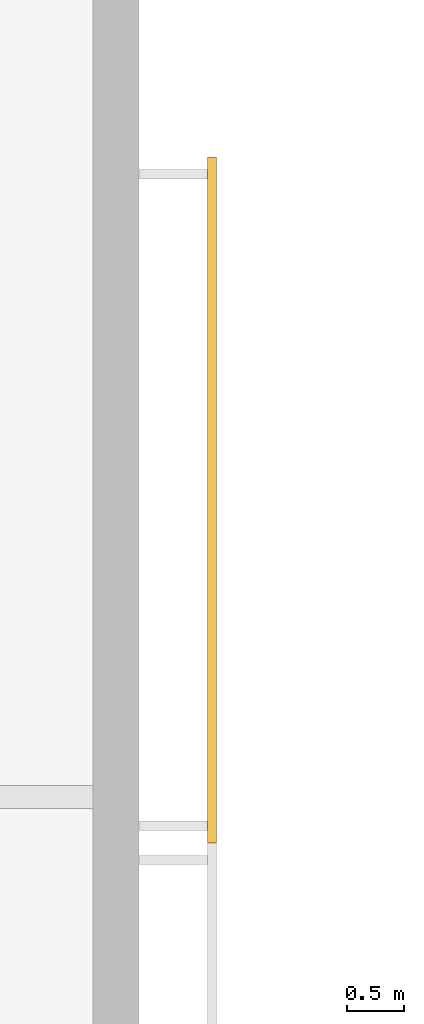
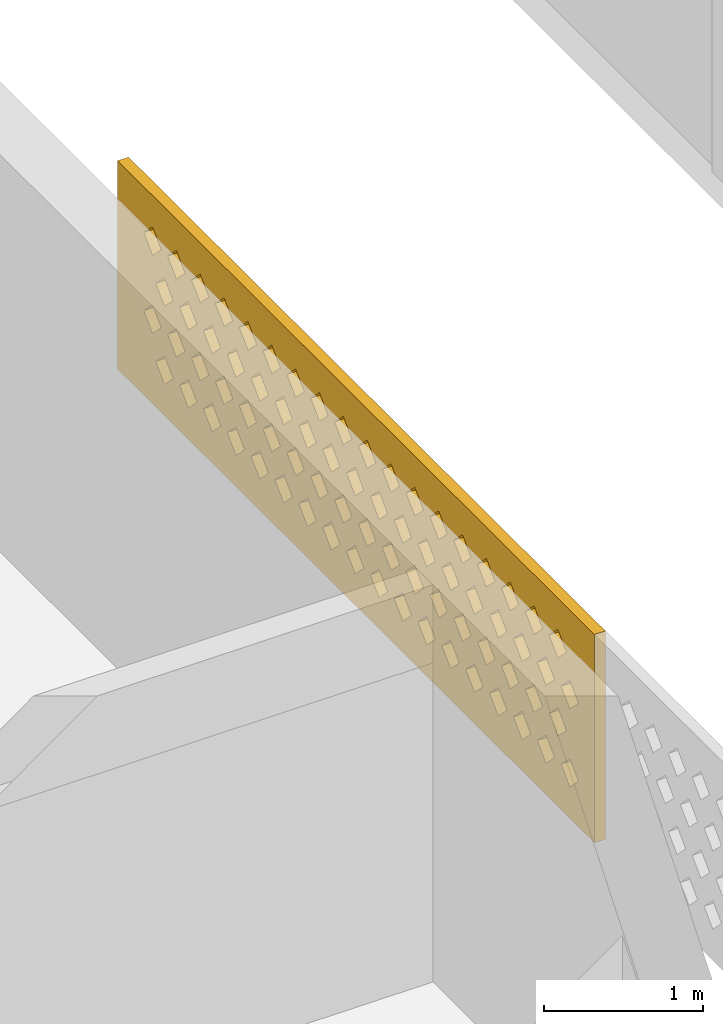
# One storey, part 12 of 16: 1 covering.
"""IFC4 building model written with IfcOpenShell, lengths in metres."""

from ifc_helpers import new_model, si_unit, direction, frame, origin, place, context, subcontext, project, spatial, polyline, outline, extrude, source, transform, mapped, material, material_profile, profile_set, type_object, element, save


model = new_model("IFC4")

# Units and contexts
model_context = context("Model", 3, precision=1e-05, world=origin(), true_north=direction((0.0, 1.0)))
body_context = subcontext(model_context, "Body", "Model", "MODEL_VIEW")
ifc_project = project(units=[si_unit("LENGTHUNIT", "METRE"), si_unit("AREAUNIT", "SQUARE_METRE"), si_unit("VOLUMEUNIT", "CUBIC_METRE"), si_unit("PLANEANGLEUNIT", "RADIAN"), si_unit("MASSUNIT", "GRAM", prefix="KILO")], contexts=[model_context])

# Site, building, storey
site_placement = place(None, origin())
site = spatial("IfcSite", under=ifc_project, at=site_placement, CompositionType="ELEMENT")
building_placement = place(site_placement, origin())
building = spatial("IfcBuilding", under=site, at=building_placement, Name="Poui Terraces", CompositionType="ELEMENT")
storey_placement = place(building_placement, frame((0.0, 0.0, 282.300048828125)))
storey = spatial("IfcBuildingStorey", under=building, at=storey_placement, Name="L78 CROWN", CompositionType="ELEMENT", Elevation=282.300048828125)

# Covering
ifc_material = material(Name="Terracotta screen", Category="masonry")
ifc_material_profile = material_profile(ifc_material, outline(polyline([(-3.0, -0.800048828125), (3.0, -0.800048828125), (3.0, 0.800048828125), (-3.0, 0.800048828125), (-3.0, -0.800048828125)]), holes=[polyline([(-2.800048828125, -0.449951171875), (-2.68994140625, -0.56005859375), (-2.580078125, -0.449951171875), (-2.68994140625, -0.340087890625), (-2.800048828125, -0.449951171875)]), polyline([(-2.5, -0.449951171875), (-2.389892578125, -0.56005859375), (-2.280029296875, -0.449951171875), (-2.389892578125, -0.340087890625), (-2.5, -0.449951171875)]), polyline([(-2.199951171875, -0.449951171875), (-2.090087890625, -0.56005859375), (-1.97998046875, -0.449951171875), (-2.090087890625, -0.340087890625), (-2.199951171875, -0.449951171875)]), polyline([(-1.89990234375, -0.449951171875), (-1.7900390625, -0.56005859375), (-1.679931640625, -0.449951171875), (-1.7900390625, -0.340087890625), (-1.89990234375, -0.449951171875)]), polyline([(-1.60009765625, -0.449951171875), (-1.489990234375, -0.56005859375), (-1.3798828125, -0.449951171875), (-1.489990234375, -0.340087890625), (-1.60009765625, -0.449951171875)]), polyline([(-1.300048828125, -0.449951171875), (-1.18994140625, -0.56005859375), (-1.080078125, -0.449951171875), (-1.18994140625, -0.340087890625), (-1.300048828125, -0.449951171875)]), polyline([(-1.0, -0.449951171875), (-0.889892578125, -0.56005859375), (-0.780029296875, -0.449951171875), (-0.889892578125, -0.340087890625), (-1.0, -0.449951171875)]), polyline([(-0.699951171875, -0.449951171875), (-0.590087890625, -0.56005859375), (-0.47998046875, -0.449951171875), (-0.590087890625, -0.340087890625), (-0.699951171875, -0.449951171875)]), polyline([(-0.39990234375, -0.449951171875), (-0.2900390625, -0.56005859375), (-0.179931640625, -0.449951171875), (-0.2900390625, -0.340087890625), (-0.39990234375, -0.449951171875)]), polyline([(-0.10009765625, -0.449951171875), (0.010009765625, -0.56005859375), (0.1201171875, -0.449951171875), (0.010009765625, -0.340087890625), (-0.10009765625, -0.449951171875)]), polyline([(0.199951171875, -0.449951171875), (0.31005859375, -0.56005859375), (0.419921875, -0.449951171875), (0.31005859375, -0.340087890625), (0.199951171875, -0.449951171875)]), polyline([(0.5, -0.449951171875), (0.610107421875, -0.56005859375), (0.719970703125, -0.449951171875), (0.610107421875, -0.340087890625), (0.5, -0.449951171875)]), polyline([(0.800048828125, -0.449951171875), (0.909912109375, -0.56005859375), (1.02001953125, -0.449951171875), (0.909912109375, -0.340087890625), (0.800048828125, -0.449951171875)]), polyline([(1.10009765625, -0.449951171875), (1.2099609375, -0.56005859375), (1.320068359375, -0.449951171875), (1.2099609375, -0.340087890625), (1.10009765625, -0.449951171875)]), polyline([(1.39990234375, -0.449951171875), (1.510009765625, -0.56005859375), (1.6201171875, -0.449951171875), (1.510009765625, -0.340087890625), (1.39990234375, -0.449951171875)]), polyline([(1.699951171875, -0.449951171875), (1.81005859375, -0.56005859375), (1.919921875, -0.449951171875), (1.81005859375, -0.340087890625), (1.699951171875, -0.449951171875)]), polyline([(2.0, -0.449951171875), (2.110107421875, -0.56005859375), (2.219970703125, -0.449951171875), (2.110107421875, -0.340087890625), (2.0, -0.449951171875)]), polyline([(2.300048828125, -0.449951171875), (2.409912109375, -0.56005859375), (2.52001953125, -0.449951171875), (2.409912109375, -0.340087890625), (2.300048828125, -0.449951171875)]), polyline([(-2.64990234375, -0.14990234375), (-2.5400390625, -0.260009765625), (-2.429931640625, -0.14990234375), (-2.5400390625, -0.0400390625), (-2.64990234375, -0.14990234375)]), polyline([(-2.35009765625, -0.14990234375), (-2.239990234375, -0.260009765625), (-2.1298828125, -0.14990234375), (-2.239990234375, -0.0400390625), (-2.35009765625, -0.14990234375)]), polyline([(-2.050048828125, -0.14990234375), (-1.93994140625, -0.260009765625), (-1.830078125, -0.14990234375), (-1.93994140625, -0.0400390625), (-2.050048828125, -0.14990234375)]), polyline([(-1.75, -0.14990234375), (-1.639892578125, -0.260009765625), (-1.530029296875, -0.14990234375), (-1.639892578125, -0.0400390625), (-1.75, -0.14990234375)]), polyline([(-1.449951171875, -0.14990234375), (-1.340087890625, -0.260009765625), (-1.22998046875, -0.14990234375), (-1.340087890625, -0.0400390625), (-1.449951171875, -0.14990234375)]), polyline([(-1.14990234375, -0.14990234375), (-1.0400390625, -0.260009765625), (-0.929931640625, -0.14990234375), (-1.0400390625, -0.0400390625), (-1.14990234375, -0.14990234375)]), polyline([(-0.85009765625, -0.14990234375), (-0.739990234375, -0.260009765625), (-0.6298828125, -0.14990234375), (-0.739990234375, -0.0400390625), (-0.85009765625, -0.14990234375)]), polyline([(-0.550048828125, -0.14990234375), (-0.43994140625, -0.260009765625), (-0.330078125, -0.14990234375), (-0.43994140625, -0.0400390625), (-0.550048828125, -0.14990234375)]), polyline([(-0.25, -0.14990234375), (-0.139892578125, -0.260009765625), (-0.030029296875, -0.14990234375), (-0.139892578125, -0.0400390625), (-0.25, -0.14990234375)]), polyline([(0.050048828125, -0.14990234375), (0.159912109375, -0.260009765625), (0.27001953125, -0.14990234375), (0.159912109375, -0.0400390625), (0.050048828125, -0.14990234375)]), polyline([(0.35009765625, -0.14990234375), (0.4599609375, -0.260009765625), (0.570068359375, -0.14990234375), (0.4599609375, -0.0400390625), (0.35009765625, -0.14990234375)]), polyline([(0.64990234375, -0.14990234375), (0.760009765625, -0.260009765625), (0.8701171875, -0.14990234375), (0.760009765625, -0.0400390625), (0.64990234375, -0.14990234375)]), polyline([(0.949951171875, -0.14990234375), (1.06005859375, -0.260009765625), (1.169921875, -0.14990234375), (1.06005859375, -0.0400390625), (0.949951171875, -0.14990234375)]), polyline([(1.25, -0.14990234375), (1.360107421875, -0.260009765625), (1.469970703125, -0.14990234375), (1.360107421875, -0.0400390625), (1.25, -0.14990234375)]), polyline([(1.550048828125, -0.14990234375), (1.659912109375, -0.260009765625), (1.77001953125, -0.14990234375), (1.659912109375, -0.0400390625), (1.550048828125, -0.14990234375)]), polyline([(1.85009765625, -0.14990234375), (1.9599609375, -0.260009765625), (2.070068359375, -0.14990234375), (1.9599609375, -0.0400390625), (1.85009765625, -0.14990234375)]), polyline([(2.14990234375, -0.14990234375), (2.260009765625, -0.260009765625), (2.3701171875, -0.14990234375), (2.260009765625, -0.0400390625), (2.14990234375, -0.14990234375)]), polyline([(2.449951171875, -0.14990234375), (2.56005859375, -0.260009765625), (2.669921875, -0.14990234375), (2.56005859375, -0.0400390625), (2.449951171875, -0.14990234375)]), polyline([(-2.800048828125, 0.14990234375), (-2.68994140625, 0.0400390625), (-2.580078125, 0.14990234375), (-2.68994140625, 0.260009765625), (-2.800048828125, 0.14990234375)]), polyline([(-2.5, 0.14990234375), (-2.389892578125, 0.0400390625), (-2.280029296875, 0.14990234375), (-2.389892578125, 0.260009765625), (-2.5, 0.14990234375)]), polyline([(-2.199951171875, 0.14990234375), (-2.090087890625, 0.0400390625), (-1.97998046875, 0.14990234375), (-2.090087890625, 0.260009765625), (-2.199951171875, 0.14990234375)]), polyline([(-1.89990234375, 0.14990234375), (-1.7900390625, 0.0400390625), (-1.679931640625, 0.14990234375), (-1.7900390625, 0.260009765625), (-1.89990234375, 0.14990234375)]), polyline([(-1.60009765625, 0.14990234375), (-1.489990234375, 0.0400390625), (-1.3798828125, 0.14990234375), (-1.489990234375, 0.260009765625), (-1.60009765625, 0.14990234375)]), polyline([(-1.300048828125, 0.14990234375), (-1.18994140625, 0.0400390625), (-1.080078125, 0.14990234375), (-1.18994140625, 0.260009765625), (-1.300048828125, 0.14990234375)]), polyline([(-1.0, 0.14990234375), (-0.889892578125, 0.0400390625), (-0.780029296875, 0.14990234375), (-0.889892578125, 0.260009765625), (-1.0, 0.14990234375)]), polyline([(-0.699951171875, 0.14990234375), (-0.590087890625, 0.0400390625), (-0.47998046875, 0.14990234375), (-0.590087890625, 0.260009765625), (-0.699951171875, 0.14990234375)]), polyline([(-0.39990234375, 0.14990234375), (-0.2900390625, 0.0400390625), (-0.179931640625, 0.14990234375), (-0.2900390625, 0.260009765625), (-0.39990234375, 0.14990234375)]), polyline([(-0.10009765625, 0.14990234375), (0.010009765625, 0.0400390625), (0.1201171875, 0.14990234375), (0.010009765625, 0.260009765625), (-0.10009765625, 0.14990234375)]), polyline([(0.199951171875, 0.14990234375), (0.31005859375, 0.0400390625), (0.419921875, 0.14990234375), (0.31005859375, 0.260009765625), (0.199951171875, 0.14990234375)]), polyline([(0.5, 0.14990234375), (0.610107421875, 0.0400390625), (0.719970703125, 0.14990234375), (0.610107421875, 0.260009765625), (0.5, 0.14990234375)]), polyline([(0.800048828125, 0.14990234375), (0.909912109375, 0.0400390625), (1.02001953125, 0.14990234375), (0.909912109375, 0.260009765625), (0.800048828125, 0.14990234375)]), polyline([(1.10009765625, 0.14990234375), (1.2099609375, 0.0400390625), (1.320068359375, 0.14990234375), (1.2099609375, 0.260009765625), (1.10009765625, 0.14990234375)]), polyline([(1.39990234375, 0.14990234375), (1.510009765625, 0.0400390625), (1.6201171875, 0.14990234375), (1.510009765625, 0.260009765625), (1.39990234375, 0.14990234375)]), polyline([(1.699951171875, 0.14990234375), (1.81005859375, 0.0400390625), (1.919921875, 0.14990234375), (1.81005859375, 0.260009765625), (1.699951171875, 0.14990234375)]), polyline([(2.0, 0.14990234375), (2.110107421875, 0.0400390625), (2.219970703125, 0.14990234375), (2.110107421875, 0.260009765625), (2.0, 0.14990234375)]), polyline([(2.300048828125, 0.14990234375), (2.409912109375, 0.0400390625), (2.52001953125, 0.14990234375), (2.409912109375, 0.260009765625), (2.300048828125, 0.14990234375)]), polyline([(-2.64990234375, 0.449951171875), (-2.5400390625, 0.340087890625), (-2.429931640625, 0.449951171875), (-2.5400390625, 0.56005859375), (-2.64990234375, 0.449951171875)]), polyline([(-2.35009765625, 0.449951171875), (-2.239990234375, 0.340087890625), (-2.1298828125, 0.449951171875), (-2.239990234375, 0.56005859375), (-2.35009765625, 0.449951171875)]), polyline([(-2.050048828125, 0.449951171875), (-1.93994140625, 0.340087890625), (-1.830078125, 0.449951171875), (-1.93994140625, 0.56005859375), (-2.050048828125, 0.449951171875)]), polyline([(-1.75, 0.449951171875), (-1.639892578125, 0.340087890625), (-1.530029296875, 0.449951171875), (-1.639892578125, 0.56005859375), (-1.75, 0.449951171875)]), polyline([(-1.449951171875, 0.449951171875), (-1.340087890625, 0.340087890625), (-1.22998046875, 0.449951171875), (-1.340087890625, 0.56005859375), (-1.449951171875, 0.449951171875)]), polyline([(-1.14990234375, 0.449951171875), (-1.0400390625, 0.340087890625), (-0.929931640625, 0.449951171875), (-1.0400390625, 0.56005859375), (-1.14990234375, 0.449951171875)]), polyline([(-0.85009765625, 0.449951171875), (-0.739990234375, 0.340087890625), (-0.6298828125, 0.449951171875), (-0.739990234375, 0.56005859375), (-0.85009765625, 0.449951171875)]), polyline([(-0.550048828125, 0.449951171875), (-0.43994140625, 0.340087890625), (-0.330078125, 0.449951171875), (-0.43994140625, 0.56005859375), (-0.550048828125, 0.449951171875)]), polyline([(-0.25, 0.449951171875), (-0.139892578125, 0.340087890625), (-0.030029296875, 0.449951171875), (-0.139892578125, 0.56005859375), (-0.25, 0.449951171875)]), polyline([(0.050048828125, 0.449951171875), (0.159912109375, 0.340087890625), (0.27001953125, 0.449951171875), (0.159912109375, 0.56005859375), (0.050048828125, 0.449951171875)]), polyline([(0.35009765625, 0.449951171875), (0.4599609375, 0.340087890625), (0.570068359375, 0.449951171875), (0.4599609375, 0.56005859375), (0.35009765625, 0.449951171875)]), polyline([(0.64990234375, 0.449951171875), (0.760009765625, 0.340087890625), (0.8701171875, 0.449951171875), (0.760009765625, 0.56005859375), (0.64990234375, 0.449951171875)]), polyline([(0.949951171875, 0.449951171875), (1.06005859375, 0.340087890625), (1.169921875, 0.449951171875), (1.06005859375, 0.56005859375), (0.949951171875, 0.449951171875)]), polyline([(1.25, 0.449951171875), (1.360107421875, 0.340087890625), (1.469970703125, 0.449951171875), (1.360107421875, 0.56005859375), (1.25, 0.449951171875)]), polyline([(1.550048828125, 0.449951171875), (1.659912109375, 0.340087890625), (1.77001953125, 0.449951171875), (1.659912109375, 0.56005859375), (1.550048828125, 0.449951171875)]), polyline([(1.85009765625, 0.449951171875), (1.9599609375, 0.340087890625), (2.070068359375, 0.449951171875), (1.9599609375, 0.56005859375), (1.85009765625, 0.449951171875)]), polyline([(2.14990234375, 0.449951171875), (2.260009765625, 0.340087890625), (2.3701171875, 0.449951171875), (2.260009765625, 0.56005859375), (2.14990234375, 0.449951171875)]), polyline([(2.449951171875, 0.449951171875), (2.56005859375, 0.340087890625), (2.669921875, 0.449951171875), (2.56005859375, 0.56005859375), (2.449951171875, 0.449951171875)])]), Name="TERRACOTTA SOLAR SCREEN 6000X1600")
ifc_profile_set = profile_set([ifc_material_profile], Name="Terracotta screen")
covering_type = type_object("IfcCoveringType", Name="TERRACOTTA SOLAR SCREEN 6000X1600", PredefinedType="CLADDING", material=ifc_profile_set)
shared_shape = source(origin(), body_context, "Body", "SweptSolid", [
    extrude(outline(polyline([(-3.0, -0.800048828125), (3.0, -0.800048828125), (3.0, 0.800048828125), (-3.0, 0.800048828125), (-3.0, -0.800048828125)]), holes=[polyline([(-2.800048828125, -0.449951171875), (-2.68994140625, -0.56005859375), (-2.580078125, -0.449951171875), (-2.68994140625, -0.340087890625), (-2.800048828125, -0.449951171875)]), polyline([(-2.5, -0.449951171875), (-2.389892578125, -0.56005859375), (-2.280029296875, -0.449951171875), (-2.389892578125, -0.340087890625), (-2.5, -0.449951171875)]), polyline([(-2.199951171875, -0.449951171875), (-2.090087890625, -0.56005859375), (-1.97998046875, -0.449951171875), (-2.090087890625, -0.340087890625), (-2.199951171875, -0.449951171875)]), polyline([(-1.89990234375, -0.449951171875), (-1.7900390625, -0.56005859375), (-1.679931640625, -0.449951171875), (-1.7900390625, -0.340087890625), (-1.89990234375, -0.449951171875)]), polyline([(-1.60009765625, -0.449951171875), (-1.489990234375, -0.56005859375), (-1.3798828125, -0.449951171875), (-1.489990234375, -0.340087890625), (-1.60009765625, -0.449951171875)]), polyline([(-1.300048828125, -0.449951171875), (-1.18994140625, -0.56005859375), (-1.080078125, -0.449951171875), (-1.18994140625, -0.340087890625), (-1.300048828125, -0.449951171875)]), polyline([(-1.0, -0.449951171875), (-0.889892578125, -0.56005859375), (-0.780029296875, -0.449951171875), (-0.889892578125, -0.340087890625), (-1.0, -0.449951171875)]), polyline([(-0.699951171875, -0.449951171875), (-0.590087890625, -0.56005859375), (-0.47998046875, -0.449951171875), (-0.590087890625, -0.340087890625), (-0.699951171875, -0.449951171875)]), polyline([(-0.39990234375, -0.449951171875), (-0.2900390625, -0.56005859375), (-0.179931640625, -0.449951171875), (-0.2900390625, -0.340087890625), (-0.39990234375, -0.449951171875)]), polyline([(-0.10009765625, -0.449951171875), (0.010009765625, -0.56005859375), (0.1201171875, -0.449951171875), (0.010009765625, -0.340087890625), (-0.10009765625, -0.449951171875)]), polyline([(0.199951171875, -0.449951171875), (0.31005859375, -0.56005859375), (0.419921875, -0.449951171875), (0.31005859375, -0.340087890625), (0.199951171875, -0.449951171875)]), polyline([(0.5, -0.449951171875), (0.610107421875, -0.56005859375), (0.719970703125, -0.449951171875), (0.610107421875, -0.340087890625), (0.5, -0.449951171875)]), polyline([(0.800048828125, -0.449951171875), (0.909912109375, -0.56005859375), (1.02001953125, -0.449951171875), (0.909912109375, -0.340087890625), (0.800048828125, -0.449951171875)]), polyline([(1.10009765625, -0.449951171875), (1.2099609375, -0.56005859375), (1.320068359375, -0.449951171875), (1.2099609375, -0.340087890625), (1.10009765625, -0.449951171875)]), polyline([(1.39990234375, -0.449951171875), (1.510009765625, -0.56005859375), (1.6201171875, -0.449951171875), (1.510009765625, -0.340087890625), (1.39990234375, -0.449951171875)]), polyline([(1.699951171875, -0.449951171875), (1.81005859375, -0.56005859375), (1.919921875, -0.449951171875), (1.81005859375, -0.340087890625), (1.699951171875, -0.449951171875)]), polyline([(2.0, -0.449951171875), (2.110107421875, -0.56005859375), (2.219970703125, -0.449951171875), (2.110107421875, -0.340087890625), (2.0, -0.449951171875)]), polyline([(2.300048828125, -0.449951171875), (2.409912109375, -0.56005859375), (2.52001953125, -0.449951171875), (2.409912109375, -0.340087890625), (2.300048828125, -0.449951171875)]), polyline([(-2.64990234375, -0.14990234375), (-2.5400390625, -0.260009765625), (-2.429931640625, -0.14990234375), (-2.5400390625, -0.0400390625), (-2.64990234375, -0.14990234375)]), polyline([(-2.35009765625, -0.14990234375), (-2.239990234375, -0.260009765625), (-2.1298828125, -0.14990234375), (-2.239990234375, -0.0400390625), (-2.35009765625, -0.14990234375)]), polyline([(-2.050048828125, -0.14990234375), (-1.93994140625, -0.260009765625), (-1.830078125, -0.14990234375), (-1.93994140625, -0.0400390625), (-2.050048828125, -0.14990234375)]), polyline([(-1.75, -0.14990234375), (-1.639892578125, -0.260009765625), (-1.530029296875, -0.14990234375), (-1.639892578125, -0.0400390625), (-1.75, -0.14990234375)]), polyline([(-1.449951171875, -0.14990234375), (-1.340087890625, -0.260009765625), (-1.22998046875, -0.14990234375), (-1.340087890625, -0.0400390625), (-1.449951171875, -0.14990234375)]), polyline([(-1.14990234375, -0.14990234375), (-1.0400390625, -0.260009765625), (-0.929931640625, -0.14990234375), (-1.0400390625, -0.0400390625), (-1.14990234375, -0.14990234375)]), polyline([(-0.85009765625, -0.14990234375), (-0.739990234375, -0.260009765625), (-0.6298828125, -0.14990234375), (-0.739990234375, -0.0400390625), (-0.85009765625, -0.14990234375)]), polyline([(-0.550048828125, -0.14990234375), (-0.43994140625, -0.260009765625), (-0.330078125, -0.14990234375), (-0.43994140625, -0.0400390625), (-0.550048828125, -0.14990234375)]), polyline([(-0.25, -0.14990234375), (-0.139892578125, -0.260009765625), (-0.030029296875, -0.14990234375), (-0.139892578125, -0.0400390625), (-0.25, -0.14990234375)]), polyline([(0.050048828125, -0.14990234375), (0.159912109375, -0.260009765625), (0.27001953125, -0.14990234375), (0.159912109375, -0.0400390625), (0.050048828125, -0.14990234375)]), polyline([(0.35009765625, -0.14990234375), (0.4599609375, -0.260009765625), (0.570068359375, -0.14990234375), (0.4599609375, -0.0400390625), (0.35009765625, -0.14990234375)]), polyline([(0.64990234375, -0.14990234375), (0.760009765625, -0.260009765625), (0.8701171875, -0.14990234375), (0.760009765625, -0.0400390625), (0.64990234375, -0.14990234375)]), polyline([(0.949951171875, -0.14990234375), (1.06005859375, -0.260009765625), (1.169921875, -0.14990234375), (1.06005859375, -0.0400390625), (0.949951171875, -0.14990234375)]), polyline([(1.25, -0.14990234375), (1.360107421875, -0.260009765625), (1.469970703125, -0.14990234375), (1.360107421875, -0.0400390625), (1.25, -0.14990234375)]), polyline([(1.550048828125, -0.14990234375), (1.659912109375, -0.260009765625), (1.77001953125, -0.14990234375), (1.659912109375, -0.0400390625), (1.550048828125, -0.14990234375)]), polyline([(1.85009765625, -0.14990234375), (1.9599609375, -0.260009765625), (2.070068359375, -0.14990234375), (1.9599609375, -0.0400390625), (1.85009765625, -0.14990234375)]), polyline([(2.14990234375, -0.14990234375), (2.260009765625, -0.260009765625), (2.3701171875, -0.14990234375), (2.260009765625, -0.0400390625), (2.14990234375, -0.14990234375)]), polyline([(2.449951171875, -0.14990234375), (2.56005859375, -0.260009765625), (2.669921875, -0.14990234375), (2.56005859375, -0.0400390625), (2.449951171875, -0.14990234375)]), polyline([(-2.800048828125, 0.14990234375), (-2.68994140625, 0.0400390625), (-2.580078125, 0.14990234375), (-2.68994140625, 0.260009765625), (-2.800048828125, 0.14990234375)]), polyline([(-2.5, 0.14990234375), (-2.389892578125, 0.0400390625), (-2.280029296875, 0.14990234375), (-2.389892578125, 0.260009765625), (-2.5, 0.14990234375)]), polyline([(-2.199951171875, 0.14990234375), (-2.090087890625, 0.0400390625), (-1.97998046875, 0.14990234375), (-2.090087890625, 0.260009765625), (-2.199951171875, 0.14990234375)]), polyline([(-1.89990234375, 0.14990234375), (-1.7900390625, 0.0400390625), (-1.679931640625, 0.14990234375), (-1.7900390625, 0.260009765625), (-1.89990234375, 0.14990234375)]), polyline([(-1.60009765625, 0.14990234375), (-1.489990234375, 0.0400390625), (-1.3798828125, 0.14990234375), (-1.489990234375, 0.260009765625), (-1.60009765625, 0.14990234375)]), polyline([(-1.300048828125, 0.14990234375), (-1.18994140625, 0.0400390625), (-1.080078125, 0.14990234375), (-1.18994140625, 0.260009765625), (-1.300048828125, 0.14990234375)]), polyline([(-1.0, 0.14990234375), (-0.889892578125, 0.0400390625), (-0.780029296875, 0.14990234375), (-0.889892578125, 0.260009765625), (-1.0, 0.14990234375)]), polyline([(-0.699951171875, 0.14990234375), (-0.590087890625, 0.0400390625), (-0.47998046875, 0.14990234375), (-0.590087890625, 0.260009765625), (-0.699951171875, 0.14990234375)]), polyline([(-0.39990234375, 0.14990234375), (-0.2900390625, 0.0400390625), (-0.179931640625, 0.14990234375), (-0.2900390625, 0.260009765625), (-0.39990234375, 0.14990234375)]), polyline([(-0.10009765625, 0.14990234375), (0.010009765625, 0.0400390625), (0.1201171875, 0.14990234375), (0.010009765625, 0.260009765625), (-0.10009765625, 0.14990234375)]), polyline([(0.199951171875, 0.14990234375), (0.31005859375, 0.0400390625), (0.419921875, 0.14990234375), (0.31005859375, 0.260009765625), (0.199951171875, 0.14990234375)]), polyline([(0.5, 0.14990234375), (0.610107421875, 0.0400390625), (0.719970703125, 0.14990234375), (0.610107421875, 0.260009765625), (0.5, 0.14990234375)]), polyline([(0.800048828125, 0.14990234375), (0.909912109375, 0.0400390625), (1.02001953125, 0.14990234375), (0.909912109375, 0.260009765625), (0.800048828125, 0.14990234375)]), polyline([(1.10009765625, 0.14990234375), (1.2099609375, 0.0400390625), (1.320068359375, 0.14990234375), (1.2099609375, 0.260009765625), (1.10009765625, 0.14990234375)]), polyline([(1.39990234375, 0.14990234375), (1.510009765625, 0.0400390625), (1.6201171875, 0.14990234375), (1.510009765625, 0.260009765625), (1.39990234375, 0.14990234375)]), polyline([(1.699951171875, 0.14990234375), (1.81005859375, 0.0400390625), (1.919921875, 0.14990234375), (1.81005859375, 0.260009765625), (1.699951171875, 0.14990234375)]), polyline([(2.0, 0.14990234375), (2.110107421875, 0.0400390625), (2.219970703125, 0.14990234375), (2.110107421875, 0.260009765625), (2.0, 0.14990234375)]), polyline([(2.300048828125, 0.14990234375), (2.409912109375, 0.0400390625), (2.52001953125, 0.14990234375), (2.409912109375, 0.260009765625), (2.300048828125, 0.14990234375)]), polyline([(-2.64990234375, 0.449951171875), (-2.5400390625, 0.340087890625), (-2.429931640625, 0.449951171875), (-2.5400390625, 0.56005859375), (-2.64990234375, 0.449951171875)]), polyline([(-2.35009765625, 0.449951171875), (-2.239990234375, 0.340087890625), (-2.1298828125, 0.449951171875), (-2.239990234375, 0.56005859375), (-2.35009765625, 0.449951171875)]), polyline([(-2.050048828125, 0.449951171875), (-1.93994140625, 0.340087890625), (-1.830078125, 0.449951171875), (-1.93994140625, 0.56005859375), (-2.050048828125, 0.449951171875)]), polyline([(-1.75, 0.449951171875), (-1.639892578125, 0.340087890625), (-1.530029296875, 0.449951171875), (-1.639892578125, 0.56005859375), (-1.75, 0.449951171875)]), polyline([(-1.449951171875, 0.449951171875), (-1.340087890625, 0.340087890625), (-1.22998046875, 0.449951171875), (-1.340087890625, 0.56005859375), (-1.449951171875, 0.449951171875)]), polyline([(-1.14990234375, 0.449951171875), (-1.0400390625, 0.340087890625), (-0.929931640625, 0.449951171875), (-1.0400390625, 0.56005859375), (-1.14990234375, 0.449951171875)]), polyline([(-0.85009765625, 0.449951171875), (-0.739990234375, 0.340087890625), (-0.6298828125, 0.449951171875), (-0.739990234375, 0.56005859375), (-0.85009765625, 0.449951171875)]), polyline([(-0.550048828125, 0.449951171875), (-0.43994140625, 0.340087890625), (-0.330078125, 0.449951171875), (-0.43994140625, 0.56005859375), (-0.550048828125, 0.449951171875)]), polyline([(-0.25, 0.449951171875), (-0.139892578125, 0.340087890625), (-0.030029296875, 0.449951171875), (-0.139892578125, 0.56005859375), (-0.25, 0.449951171875)]), polyline([(0.050048828125, 0.449951171875), (0.159912109375, 0.340087890625), (0.27001953125, 0.449951171875), (0.159912109375, 0.56005859375), (0.050048828125, 0.449951171875)]), polyline([(0.35009765625, 0.449951171875), (0.4599609375, 0.340087890625), (0.570068359375, 0.449951171875), (0.4599609375, 0.56005859375), (0.35009765625, 0.449951171875)]), polyline([(0.64990234375, 0.449951171875), (0.760009765625, 0.340087890625), (0.8701171875, 0.449951171875), (0.760009765625, 0.56005859375), (0.64990234375, 0.449951171875)]), polyline([(0.949951171875, 0.449951171875), (1.06005859375, 0.340087890625), (1.169921875, 0.449951171875), (1.06005859375, 0.56005859375), (0.949951171875, 0.449951171875)]), polyline([(1.25, 0.449951171875), (1.360107421875, 0.340087890625), (1.469970703125, 0.449951171875), (1.360107421875, 0.56005859375), (1.25, 0.449951171875)]), polyline([(1.550048828125, 0.449951171875), (1.659912109375, 0.340087890625), (1.77001953125, 0.449951171875), (1.659912109375, 0.56005859375), (1.550048828125, 0.449951171875)]), polyline([(1.85009765625, 0.449951171875), (1.9599609375, 0.340087890625), (2.070068359375, 0.449951171875), (1.9599609375, 0.56005859375), (1.85009765625, 0.449951171875)]), polyline([(2.14990234375, 0.449951171875), (2.260009765625, 0.340087890625), (2.3701171875, 0.449951171875), (2.260009765625, 0.56005859375), (2.14990234375, 0.449951171875)]), polyline([(2.449951171875, 0.449951171875), (2.56005859375, 0.340087890625), (2.669921875, 0.449951171875), (2.56005859375, 0.56005859375), (2.449951171875, 0.449951171875)])]), origin(), (0.0, 0.0, 1.0), 0.079833984375),
])
covering_placement = place(storey_placement, frame((48.800048828125, 33.0, 1.699951171875), z_axis=(1.0, 0.0, 0.0), x_axis=(0.0, 1.0, 0.0)))
element("IfcCovering", 1, at=covering_placement, inside=storey, type_object=covering_type, Name="SOLAR SCREEN", PredefinedType="CLADDING", context=body_context, shape_type="MappedRepresentation", body=[
    mapped(shared_shape, transform((0.0, 0.0, 0.0))),
])

save(model, "model.ifc")
